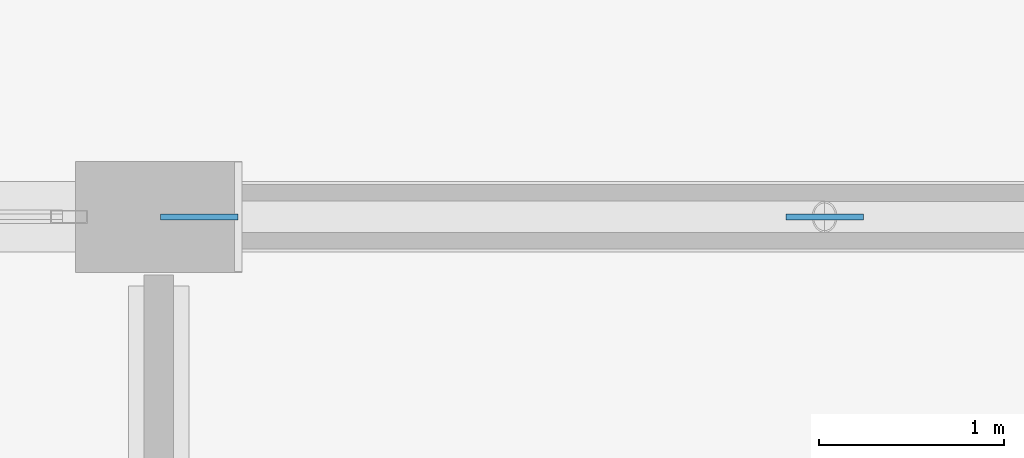
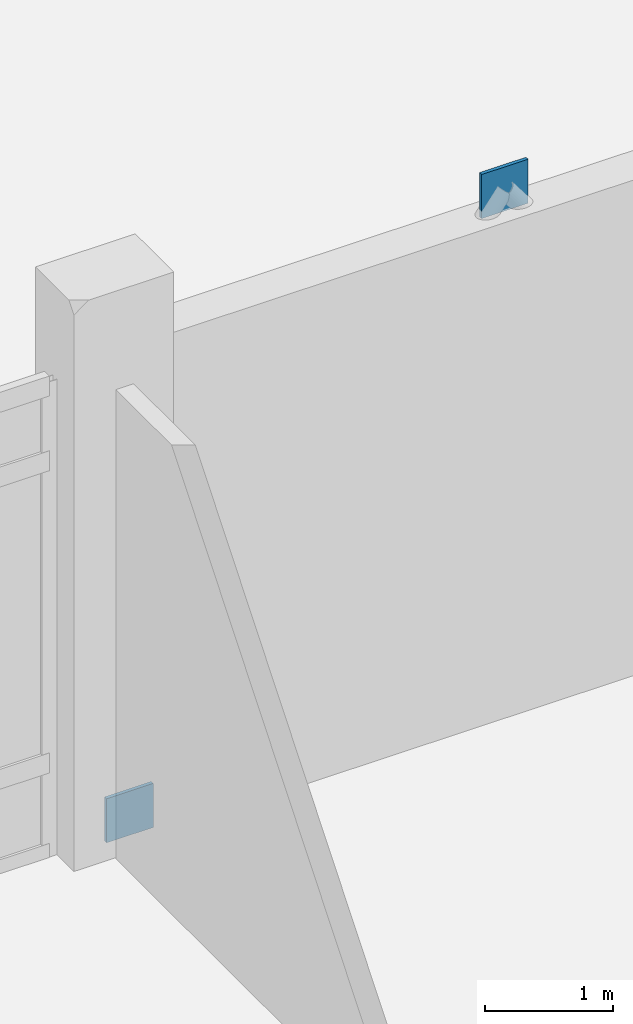
# One storey, part 178 of 229: 2 plates.
"""IFC4 building model written with IfcOpenShell, lengths in metres."""

from ifc_helpers import new_model, si_unit, direction, frame, origin, origin_2d, place, context, subcontext, project, spatial, rectangle, extrude, material, layer, layer_set, type_object, element, save


model = new_model("IFC4")

# Units and contexts
model_context = context("Model", 3, precision=1e-05, world=origin(), true_north=direction((0.0, 1.0)))
body_context = subcontext(model_context, "Body", "Model", "MODEL_VIEW")
ifc_project = project(units=[si_unit("LENGTHUNIT", "METRE"), si_unit("AREAUNIT", "SQUARE_METRE"), si_unit("VOLUMEUNIT", "CUBIC_METRE"), si_unit("PLANEANGLEUNIT", "RADIAN"), si_unit("MASSUNIT", "GRAM", prefix="KILO")], contexts=[model_context])

# Site, building, storey
site_placement = place(None, origin())
site = spatial("IfcSite", under=ifc_project, at=site_placement, CompositionType="ELEMENT")
building_placement = place(site_placement, origin())
building = spatial("IfcBuilding", under=site, at=building_placement, Name="Calvrana Isthmian Art Gallery", CompositionType="ELEMENT")
storey_placement = place(building_placement, origin())
storey = spatial("IfcBuildingStorey", under=building, at=storey_placement, Name="L00", CompositionType="ELEMENT", Elevation=0.0)

# Plates
ifc_material = material(Name="Steel ASTM A572 Gr 50", Category="steel")
ifc_layer = layer(ifc_material, 0.031982421875, Name="Steel ASTM A572 Gr 50")
ifc_layer_set = layer_set([ifc_layer], Name="Steel ASTM A572 Gr 50")
plate_type = type_object("IfcPlateType", Name="PL-GUSSET-32", PredefinedType="USERDEFINED", material=ifc_layer_set)
for number, where, z_axis, x_axis, name in (
    (1, (120.219970703125, 98.39990234375, -0.06005859375), (0.0, 0.0, 1.0), (1.0, 0.0, 0.0), "Chevron brace gusset plate L00-13L"),
    (2, (123.60009765625, 98.39990234375, 4.70703125), (0.0, 0.0, 1.0), (1.0, 0.0, 0.0), "Chevron brace gusset plate L00-13M"),
):
    element("IfcPlate", number, at=place(storey_placement, frame(where, z_axis=z_axis, x_axis=x_axis)), inside=storey, type_object=plate_type, Name=name, ObjectType="GUSSET PLATE", PredefinedType="USERDEFINED", context=body_context, shape_type="SweptSolid", body=[
        extrude(rectangle(XDim=0.419921875, YDim=0.031982421875, at=origin_2d()), origin(), (0.0, 0.0, 1.0), 0.419921875),
    ])

save(model, "model.ifc")
